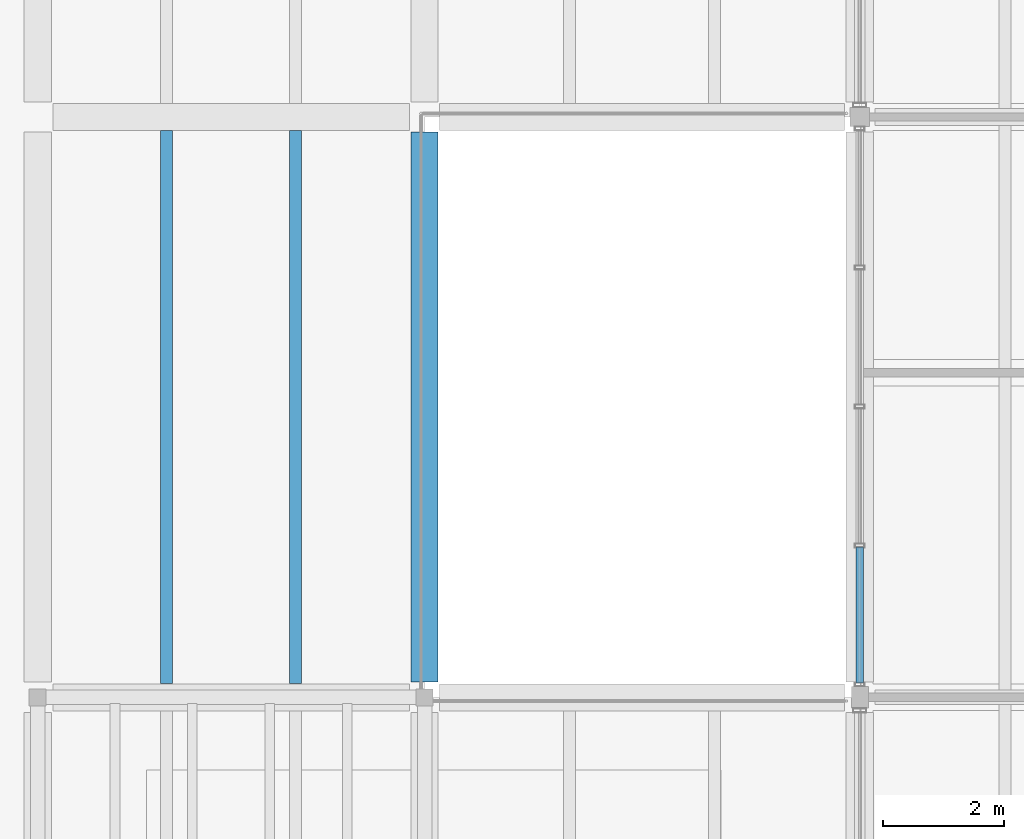
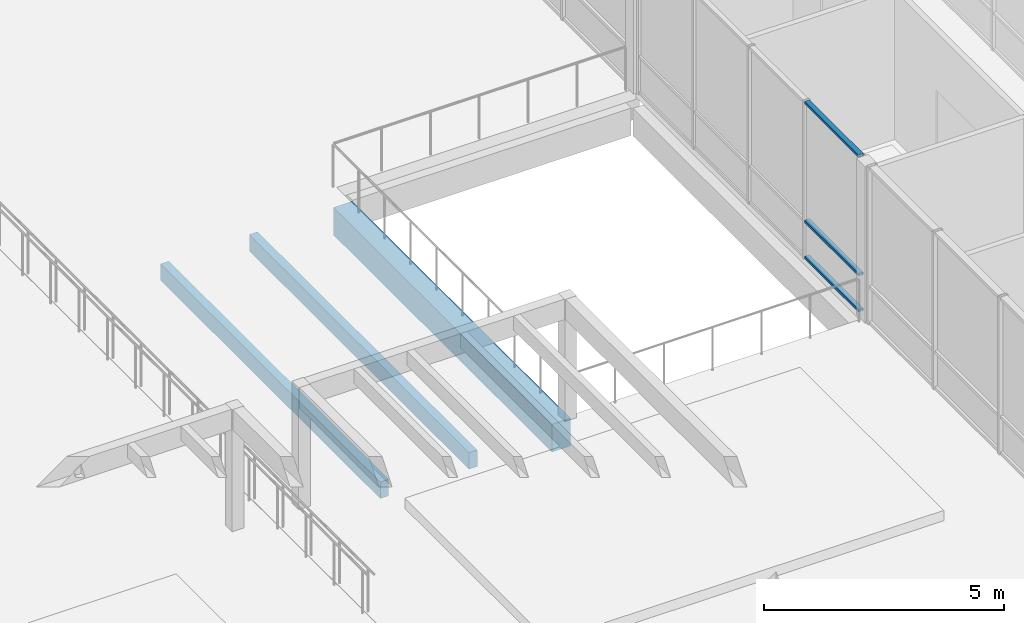
# One storey, part 51 of 115: 3 beams, 3 members, 1 element without a shape of its own.
"""IFC4 building model written with IfcOpenShell, lengths in metres."""

from ifc_helpers import new_model, si_unit, direction, frame, origin, origin_2d, place, context, subcontext, project, spatial, rectangle, hollow_rectangle, extrude, material, material_profile, profile_set, type_object, element, aggregate, save


model = new_model("IFC4")

# Units and contexts
model_context = context("Model", 3, precision=1e-05, world=origin(), true_north=direction((0.0, 1.0)))
body_context = subcontext(model_context, "Body", "Model", "MODEL_VIEW")
ifc_project = project(units=[si_unit("LENGTHUNIT", "METRE"), si_unit("AREAUNIT", "SQUARE_METRE"), si_unit("VOLUMEUNIT", "CUBIC_METRE"), si_unit("PLANEANGLEUNIT", "RADIAN"), si_unit("MASSUNIT", "GRAM", prefix="KILO")], contexts=[model_context])

# Site, building, storey
site_placement = place(None, origin())
site = spatial("IfcSite", under=ifc_project, at=site_placement, CompositionType="ELEMENT")
building_placement = place(site_placement, origin())
building = spatial("IfcBuilding", under=site, at=building_placement, Name="Hawrajan Terrace Health Centre", CompositionType="ELEMENT")
storey_placement = place(building_placement, frame((0.0, 0.0, 9.0)))
storey = spatial("IfcBuildingStorey", under=building, at=storey_placement, Name="L02", CompositionType="ELEMENT", Elevation=9.0)

# Curtain wall, members
ifc_material_1 = material(Name="Anodized bronze aluminium and low-E solar glazing", Category="aluminium")
curtain_wall_type = type_object("IfcCurtainWallType", Name="CW_Court_SeriesA3", PredefinedType="USERDEFINED", material=ifc_material_1)
curtain_wall_placement = place(storey_placement, origin())
curtain_wall = element("IfcCurtainWall", 1, at=curtain_wall_placement, inside=storey, type_object=curtain_wall_type, Name="Curtain wall CW-L02-147", ObjectType="UNITISED CURTAIN WALL", PredefinedType="USERDEFINED")
ifc_material_2 = material(Name="Anodized bronze aluminium 6063-T6", Category="aluminium")
ifc_material_profile_1 = material_profile(ifc_material_2, hollow_rectangle(XDim=0.06494140625, YDim=0.1201171875, WallThickness=0.00341796875, at=origin_2d()), Name="CW TRN 65x120")
ifc_profile_set_1 = profile_set([ifc_material_profile_1], Name="Anodized bronze aluminium 6063-T6")
member_type = type_object("IfcMemberType", Name="CWTransom_65x120", PredefinedType="USERDEFINED", material=ifc_profile_set_1)
member_1_placement = place(storey_placement, frame((143.800048828125, 27.43896484375, 0.032470703125), z_axis=(0.0, 1.0, 0.0), x_axis=(0.0, 0.0, 1.0)))
member_1 = element("IfcMember", 2, at=member_1_placement, type_object=member_type, Name="Transom CW-L02-147-T1-1", ObjectType="TRANSOM", PredefinedType="USERDEFINED", context=body_context, shape_type="SweptSolid", body=[
    extrude(hollow_rectangle(XDim=0.06494140625, YDim=0.1201171875, WallThickness=0.00341796875, at=origin_2d()), origin(), (0.0, 0.0, 1.0), 2.245849609375),
])
member_2_placement = place(storey_placement, frame((143.800048828125, 27.43896484375, 0.949951171875), z_axis=(0.0, 1.0, 0.0), x_axis=(0.0, 0.0, 1.0)))
member_2 = element("IfcMember", 3, at=member_2_placement, type_object=member_type, Name="Transom CW-L02-147-T1-2", ObjectType="TRANSOM", PredefinedType="USERDEFINED", context=body_context, shape_type="SweptSolid", body=[
    extrude(hollow_rectangle(XDim=0.06494140625, YDim=0.1201171875, WallThickness=0.00341796875, at=origin_2d()), origin(), (0.0, 0.0, 1.0), 2.245849609375),
])
member_3_placement = place(storey_placement, frame((143.800048828125, 27.43896484375, 3.967529296875), z_axis=(0.0, 1.0, 0.0), x_axis=(0.0, 0.0, 1.0)))
member_3 = element("IfcMember", 4, at=member_3_placement, type_object=member_type, Name="Transom CW-L02-147-T1-3", ObjectType="TRANSOM", PredefinedType="USERDEFINED", context=body_context, shape_type="SweptSolid", body=[
    extrude(hollow_rectangle(XDim=0.06494140625, YDim=0.1201171875, WallThickness=0.00341796875, at=origin_2d()), origin(), (0.0, 0.0, 1.0), 2.245849609375),
])
aggregate(curtain_wall, [member_1, member_2, member_3])

# Beams
ifc_material_3 = material(Name="Glulam GL28h", Category="wood")
ifc_material_profile_2 = material_profile(ifc_material_3, rectangle(XDim=0.199951171875, YDim=0.419921875, at=origin_2d()), Name="GL JST 200x420")
ifc_profile_set_2 = profile_set([ifc_material_profile_2], Name="Glulam GL28h")
beam_type_1 = type_object("IfcBeamType", Name="GlulamJoist_200x420", PredefinedType="JOIST", material=ifc_profile_set_2)
for number, where, z_axis, x_axis, name in (
    (5, (132.333251953125, 27.425048828125, -0.489990234375), (0.0, 1.0, 0.0), (-1.0, 0.0, 0.0), "Secondary joist JST-L02-E-17-4-1"),
    (6, (134.466796875, 27.425048828125, -0.489990234375), (0.0, 1.0, 0.0), (-1.0, 0.0, 0.0), "Secondary joist JST-L02-E-17-4-2"),
):
    element("IfcBeam", number, at=place(storey_placement, frame(where, z_axis=z_axis, x_axis=x_axis)), inside=storey, type_object=beam_type_1, Name=name, PredefinedType="JOIST", context=body_context, shape_type="SweptSolid", body=[
        extrude(rectangle(XDim=0.199951171875, YDim=0.419921875, at=origin_2d()), origin(), (0.0, 0.0, 1.0), 9.14990234375),
    ])
ifc_material_4 = material(Name="Concrete C40/50", Category="concrete")
ifc_material_profile_3 = material_profile(ifc_material_4, rectangle(XDim=0.449951171875, YDim=0.699951171875, at=origin_2d()), Name="RC BM 450x700")
ifc_profile_set_3 = profile_set([ifc_material_profile_3], Name="Concrete C40/50")
beam_type_2 = type_object("IfcBeamType", Name="RCGirder_450x700", PredefinedType="BEAM", material=ifc_profile_set_3)
beam_placement = place(storey_placement, frame((136.60009765625, 27.449951171875, -0.6298828125), z_axis=(0.0, 1.0, 0.0), x_axis=(-1.0, 0.0, 0.0)))
element("IfcBeam", 7, at=beam_placement, inside=storey, type_object=beam_type_2, Name="Beam BM-Y-L02-E-X18-4", PredefinedType="BEAM", context=body_context, shape_type="SweptSolid", body=[
    extrude(rectangle(XDim=0.449951171875, YDim=0.699951171875, at=origin_2d()), origin(), (0.0, 0.0, 1.0), 9.10009765625),
])

save(model, "model.ifc")
